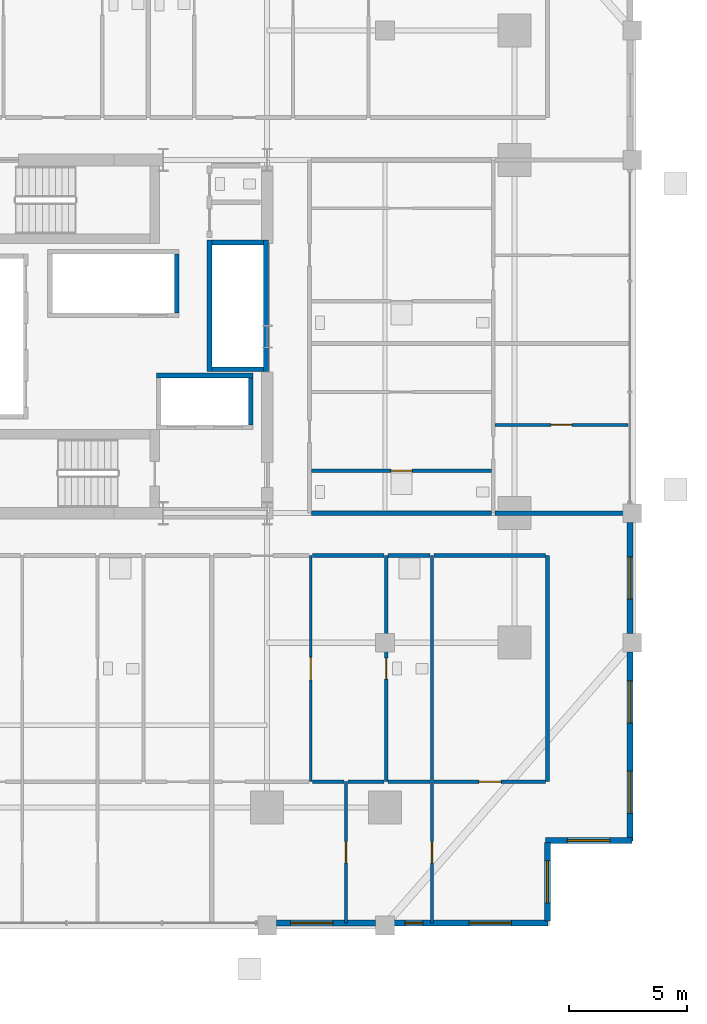
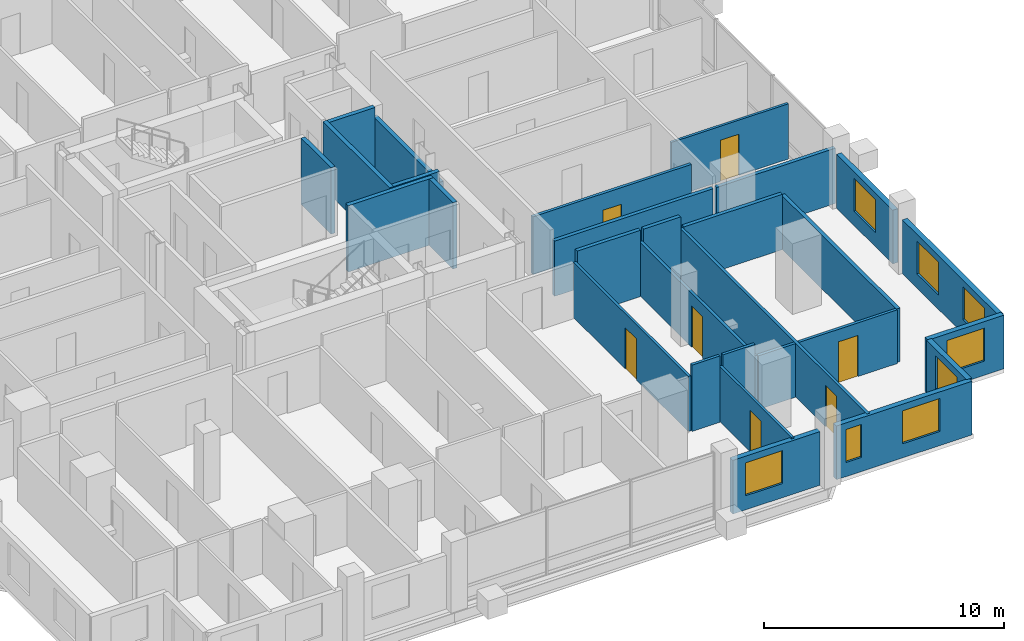
# One storey, part 19 of 24: 29 walls, 8 windows, 7 doors, 15 openings.
"""IFC4 building model written with IfcOpenShell, lengths in metres."""

import ifcopenshell
import ifcopenshell.guid

model = None  # the IFC model being written
_history = None  # IfcOwnerHistory: only IFC2X3 demands one
_inside = {}  # id of a spatial element -> (the spatial element, [elements in it])
_under = {}  # id of a project, library or spatial element -> (it, [spatial elements below it])
_declared = {}  # id of a project -> (the project, [libraries it declares])
_typed = {}  # id of a type object -> (the type object, [elements of that type])
_made_of = {}  # id of a material, layer set ... -> (it, [elements and type objects made of it])


def new_model(schema):
    """Start an empty IFC model of exactly this schema.

    Asked for "IFC4X3", IfcOpenShell would pick the latest addendum, in which some entities
    have other attributes; the version numbers below select the first issue.
    IFC2X3 requires an IfcOwnerHistory on every rooted entity: one is made here for all.
    """
    global model, _history
    if schema == "IFC4X3":
        model = ifcopenshell.file(schema_version=(4, 3, 0, 0))
    else:
        model = ifcopenshell.file(schema=schema)
    _inside.clear()
    _under.clear()
    _declared.clear()
    _typed.clear()
    _made_of.clear()
    _history = None
    if model.schema == "IFC2X3":
        org = make("IfcOrganization", Name="unknown")
        user = make(
            "IfcPersonAndOrganization",
            ThePerson=make("IfcPerson", FamilyName="unknown"),
            TheOrganization=org,
        )
        app = make(
            "IfcApplication",
            ApplicationDeveloper=org,
            Version="unknown",
            ApplicationFullName="unknown",
            ApplicationIdentifier="unknown",
        )
        _history = make(
            "IfcOwnerHistory",
            OwningUser=user,
            OwningApplication=app,
            ChangeAction="ADDED",
            CreationDate=0,
        )
    return model


def make(cls, **values):
    """One entity of the class cls with the attributes given. An attribute that is None is left unset."""
    return model.create_entity(
        cls, **{name: value for name, value in values.items() if value is not None}
    )


def rooted(cls, **values):
    """An entity with a GlobalId (a new one), such as an element, a storey or a relation."""
    return make(cls, GlobalId=ifcopenshell.guid.new(), OwnerHistory=_history, **values)


def si_unit(unit_type, name, prefix=None):
    """IfcSIUnit, for example si_unit("LENGTHUNIT", "METRE", prefix="MILLI")."""
    return make("IfcSIUnit", UnitType=unit_type, Prefix=prefix, Name=name)


def assignment(units):
    """IfcUnitAssignment: the units of a project."""
    return None if units is None else make("IfcUnitAssignment", Units=units)


def point(xyz):
    """IfcCartesianPoint."""
    return None if xyz is None else make("IfcCartesianPoint", Coordinates=xyz)


def direction(xyz):
    """IfcDirection."""
    return None if xyz is None else make("IfcDirection", DirectionRatios=xyz)


def frame(location, z_axis=None, x_axis=None):
    """IfcAxis2Placement3D, a coordinate frame: its origin and axes. An axis left out is left unset."""
    return make(
        "IfcAxis2Placement3D",
        Location=point(location),
        Axis=direction(z_axis),
        RefDirection=direction(x_axis),
    )


def frame_2d(location, x_axis=None):
    """IfcAxis2Placement2D, a coordinate frame in the plane: its origin and x axis."""
    return make(
        "IfcAxis2Placement2D", Location=point(location), RefDirection=direction(x_axis)
    )


def origin():
    """The frame at (0, 0, 0) with its axes left unset."""
    return frame((0.0, 0.0, 0.0))


def place(relative_to, where):
    """IfcLocalPlacement: puts the frame where relative to a parent placement (None: the world)."""
    return make(
        "IfcLocalPlacement", PlacementRelTo=relative_to, RelativePlacement=where
    )


def context(
    kind, dimensions, precision=None, world=None, true_north=None, identifier=None
):
    """IfcGeometricRepresentationContext, for example the 3D "Model" context."""
    return make(
        "IfcGeometricRepresentationContext",
        ContextIdentifier=identifier,
        ContextType=kind,
        CoordinateSpaceDimension=dimensions,
        Precision=precision,
        WorldCoordinateSystem=world,
        TrueNorth=true_north,
    )


def subcontext(parent, identifier, kind, view, scale=None):
    """IfcGeometricRepresentationSubContext, for example "Body" below "Model"."""
    return make(
        "IfcGeometricRepresentationSubContext",
        ContextIdentifier=identifier,
        ContextType=kind,
        ParentContext=parent,
        TargetScale=scale,
        TargetView=view,
    )


def project(units=None, contexts=None):
    """IfcProject with its units and contexts."""
    return rooted(
        "IfcProject",
        Name="project",
        RepresentationContexts=contexts,
        UnitsInContext=assignment(units),
    )


def spatial(cls, under=None, at=None, **own):
    """A site, building, storey or space (cls), placed at a placement, below another one or the project."""
    s = rooted(cls, ObjectPlacement=at, **own)
    if under is not None:
        _under.setdefault(under.id(), (under, []))[1].append(s)
    return s


def profile(cls, at=None, kind="AREA", **sizes):
    """A parametric profile (cls). Its sizes go by their IFC names, for example OverallWidth=200.0."""
    return make(cls, ProfileType=kind, Position=at, **sizes)


def rectangle(**sizes):
    """IfcRectangleProfileDef."""
    return profile("IfcRectangleProfileDef", **sizes)


def extrude(swept, where, along, depth):
    """IfcExtrudedAreaSolid: the profile swept, set in the frame where, extruded along a direction by depth."""
    return make(
        "IfcExtrudedAreaSolid",
        SweptArea=swept,
        Position=where,
        ExtrudedDirection=direction(along),
        Depth=depth,
    )


def shape(context_of_items, identifier, shape_type, items):
    """IfcShapeRepresentation: the items that make up one representation, for example the "Body"."""
    return make(
        "IfcShapeRepresentation",
        ContextOfItems=context_of_items,
        RepresentationIdentifier=identifier,
        RepresentationType=shape_type,
        Items=items,
    )


def material(Name=None, Category=None):
    """IfcMaterial."""
    return make("IfcMaterial", Name=Name, Category=Category)


def layer(
    of_material, thickness, ventilated=None, Name=None, Category=None, Priority=None
):
    """IfcMaterialLayer: one layer of a wall or slab, of a material (None: an air gap)."""
    return make(
        "IfcMaterialLayer",
        Material=of_material,
        LayerThickness=thickness,
        IsVentilated=ventilated,
        Name=Name,
        Category=Category,
        Priority=Priority,
    )


def layer_set(layers, Name=None):
    """IfcMaterialLayerSet."""
    return make("IfcMaterialLayerSet", MaterialLayers=layers, LayerSetName=Name)


def made_of(thing, what):
    """Note that an element or type object is made of a material, layer set ...; save() writes the relation."""
    if what is not None:
        _made_of.setdefault(what.id(), (what, []))[1].append(thing)
    return thing


def type_object(cls, material=None, **own):
    """A type object (cls), such as IfcWallType, which elements share."""
    return made_of(rooted(cls, **own), material)


def element(
    cls,
    number,
    at=None,
    inside=None,
    cuts=None,
    type_object=None,
    material=None,
    context=None,
    identifier="Body",
    shape_type=None,
    held_by="IfcProductDefinitionShape",
    body=None,
    shapes=None,
    **own,
):
    """One element of the class cls, such as IfcWall. Its Tag is "e" and its number.

    at: its placement. inside: the storey or other place that contains it. cuts: it is an
    opening in that element (IfcRelVoidsElement). A single representation is given by context,
    identifier, shape_type and body (its items); several are given by shapes. held_by: the class
    of the entity that holds the representations. save() writes the other relations.
    """
    e = rooted(cls, Tag="e%d" % number, ObjectPlacement=at, **own)
    if body is not None:
        shapes = [shape(context, identifier, shape_type, body)]
    if shapes is not None:
        e.Representation = make(held_by, Representations=shapes)
    if inside is not None:
        _inside.setdefault(inside.id(), (inside, []))[1].append(e)
    if cuts is not None:
        rooted(
            "IfcRelVoidsElement", RelatingBuildingElement=cuts, RelatedOpeningElement=e
        )
    if type_object is not None:
        _typed.setdefault(type_object.id(), (type_object, []))[1].append(e)
    return made_of(e, material)


def fill(opening, filler):
    """IfcRelFillsElement: the door or window that sits in an opening."""
    return rooted(
        "IfcRelFillsElement",
        RelatingOpeningElement=opening,
        RelatedBuildingElement=filler,
    )


def aggregate(whole, parts):
    """IfcRelAggregates: a whole, such as a stair, and the parts it consists of."""
    return rooted("IfcRelAggregates", RelatingObject=whole, RelatedObjects=parts)


def save(model, path):
    """Write the relations noted so far, then the file.

    IfcRelAggregates (storeys below a building ...), IfcRelContainedInSpatialStructure (elements
    in a storey), IfcRelDefinesByType, IfcRelAssociatesMaterial and IfcRelDeclares: one each for
    every whole, place, type object, material and project.
    """
    for whole, parts in _under.values():
        aggregate(whole, parts)
    for where, things in _inside.values():
        rooted(
            "IfcRelContainedInSpatialStructure",
            RelatedElements=things,
            RelatingStructure=where,
        )
    for kind, things in _typed.values():
        rooted("IfcRelDefinesByType", RelatedObjects=things, RelatingType=kind)
    for what, things in _made_of.values():
        rooted("IfcRelAssociatesMaterial", RelatedObjects=things, RelatingMaterial=what)
    for by, libraries in _declared.values():
        rooted("IfcRelDeclares", RelatingContext=by, RelatedDefinitions=libraries)
    model.write(path)


model = new_model("IFC4")

# Units and contexts
model_context = context("Model", 3, precision=1e-05, world=origin(), true_north=direction((0.0, 1.0)))
body_context = subcontext(model_context, "Body", "Model", "MODEL_VIEW")
ifc_project = project(units=[si_unit("LENGTHUNIT", "METRE"), si_unit("AREAUNIT", "SQUARE_METRE"), si_unit("VOLUMEUNIT", "CUBIC_METRE"), si_unit("PLANEANGLEUNIT", "RADIAN"), si_unit("MASSUNIT", "GRAM", prefix="KILO")], contexts=[model_context])

# Site, building, storey
site_placement = place(None, origin())
site = spatial("IfcSite", under=ifc_project, at=site_placement, CompositionType="ELEMENT")
building_placement = place(site_placement, origin())
building = spatial("IfcBuilding", under=site, at=building_placement, Name="Barlavira Tower and Art Museum", CompositionType="ELEMENT")
storey_placement = place(building_placement, frame((0.0, 0.0, 32.39990234375)))
storey = spatial("IfcBuildingStorey", under=building, at=storey_placement, Name="L06", CompositionType="ELEMENT", Elevation=32.39990234375)

# Wall, opening, door
ifc_material_1 = material(Name="Gypsum acoustic stud partition", Category="gypsum")
ifc_layer_1 = layer(ifc_material_1, 0.1201171875, Name="Gypsum acoustic stud partition")
ifc_layer_set_1 = layer_set([ifc_layer_1], Name="Gypsum acoustic stud partition")
wall_type_1 = type_object("IfcWallType", Name="Apartment Internal Acoustic Partition 120", PredefinedType="PARTITIONING", material=ifc_layer_set_1)
wall_1_placement = place(storey_placement, frame((8.35009765625, -18.89990234375, 0.0), z_axis=(0.0, 0.0, 1.0), x_axis=(0.0, 1.0, 0.0)))
wall_1 = element("IfcWall", 1, at=wall_1_placement, inside=storey, type_object=wall_type_1, Name="L06 Partition Wall 24", PredefinedType="PARTITIONING", context=body_context, shape_type="SweptSolid", body=[
    extrude(rectangle(XDim=9.599853515625, YDim=0.1201171875, at=frame_2d((4.7998046875, 0.0))), origin(), (0.0, 0.0, 1.0), 2.816162109375),
])
opening_1_placement = place(wall_1_placement, frame((4.324951171875, 0.0, 0.0)))
opening_1 = element("IfcOpeningElement", 2, at=opening_1_placement, cuts=wall_1, Name="Opening D-02", PredefinedType="OPENING", context=body_context, shape_type="SweptSolid", body=[
    extrude(rectangle(XDim=0.949951171875, YDim=2.10009765625, at=frame_2d((0.47509765625, 1.050048828125))), frame((0.0, 0.070068359375, 0.0), z_axis=(0.0, -1.0, 0.0), x_axis=(1.0, 0.0, 0.0)), (0.0, 0.0, 1.0), 0.14013671875),
])
ifc_material_2 = material(Name="Engineered coastal hardwood", Category="wood")
door_type_1 = type_object("IfcDoorType", Name="Living and Salon Glazed-Leaf Door 950x2100", OperationType="NOTDEFINED", PredefinedType="DOOR", material=ifc_material_2)
door_1_placement = place(opening_1_placement, origin())
door_1 = element("IfcDoor", 3, at=door_1_placement, inside=storey, type_object=door_type_1, Name="Apartment S3 Kitchen Door", OperationType="SINGLE_SWING_LEFT", OverallHeight=2.10009765625, OverallWidth=0.949951171875, PredefinedType="DOOR", context=body_context, shape_type="SweptSolid", body=[
    extrude(rectangle(XDim=0.949951171875, YDim=2.10009765625, at=frame_2d((0.47509765625, 1.050048828125))), frame((0.0, 0.02490234375, 0.0), z_axis=(0.0, -1.0, 0.0), x_axis=(1.0, 0.0, 0.0)), (0.0, 0.0, 1.0), 0.050048828125),
])
fill(opening_1, door_1)

wall_2_placement = place(storey_placement, frame((9.85009765625, -24.89990234375, 0.0), z_axis=(0.0, 0.0, 1.0), x_axis=(0.0, 1.0, 0.0)))
wall_2 = element("IfcWall", 4, at=wall_2_placement, inside=storey, type_object=wall_type_1, Name="L06 Partition Wall 25", PredefinedType="PARTITIONING", context=body_context, shape_type="SweptSolid", body=[
    extrude(rectangle(XDim=6.0, YDim=0.1201171875, at=frame_2d((3.0, 0.0))), origin(), (0.0, 0.0, 1.0), 2.816162109375),
])
opening_2_placement = place(wall_2_placement, frame((2.550048828125, 0.0, 0.0)))
opening_2 = element("IfcOpeningElement", 5, at=opening_2_placement, cuts=wall_2, Name="Opening D-01", PredefinedType="OPENING", context=body_context, shape_type="SweptSolid", body=[
    extrude(rectangle(XDim=0.89990234375, YDim=2.10009765625, at=frame_2d((0.449951171875, 1.050048828125))), frame((0.0, 0.070068359375, 0.0), z_axis=(0.0, -1.0, 0.0), x_axis=(1.0, 0.0, 0.0)), (0.0, 0.0, 1.0), 0.14013671875),
])
door_type_2 = type_object("IfcDoorType", Name="Internal Bedroom Timber Flush Door 900x2100", OperationType="NOTDEFINED", PredefinedType="DOOR", material=ifc_material_2)
door_2_placement = place(opening_2_placement, origin())
door_2 = element("IfcDoor", 6, at=door_2_placement, inside=storey, type_object=door_type_2, Name="Apartment S3 Bedroom 1 Door", OperationType="SINGLE_SWING_LEFT", OverallHeight=2.10009765625, OverallWidth=0.89990234375, PredefinedType="DOOR", context=body_context, shape_type="SweptSolid", body=[
    extrude(rectangle(XDim=0.89990234375, YDim=2.10009765625, at=frame_2d((0.449951171875, 1.050048828125))), frame((0.0, 0.02490234375, 0.0), z_axis=(0.0, -1.0, 0.0), x_axis=(1.0, 0.0, 0.0)), (0.0, 0.0, 1.0), 0.050048828125),
])
fill(opening_2, door_2)

wall_3_placement = place(storey_placement, frame((16.179931640625, -3.75, 0.0), z_axis=(0.0, 0.0, 1.0), x_axis=(1.0, 0.0, 0.0)))
wall_3 = element("IfcWall", 7, at=wall_3_placement, inside=storey, type_object=wall_type_1, Name="L06 Partition Wall 65", PredefinedType="PARTITIONING", context=body_context, shape_type="SweptSolid", body=[
    extrude(rectangle(XDim=5.64013671875, YDim=0.1201171875, at=frame_2d((2.820068359375, 0.0))), origin(), (0.0, 0.0, 1.0), 2.816162109375),
])
opening_3_placement = place(wall_3_placement, frame((2.3701171875, 0.0, 0.0)))
opening_3 = element("IfcOpeningElement", 8, at=opening_3_placement, cuts=wall_3, Name="Opening D-01", PredefinedType="OPENING", context=body_context, shape_type="SweptSolid", body=[
    extrude(rectangle(XDim=0.89990234375, YDim=2.10009765625, at=frame_2d((0.449951171875, 1.050048828125))), frame((0.0, 0.070068359375, 0.0), z_axis=(0.0, -1.0, 0.0), x_axis=(1.0, 0.0, 0.0)), (0.0, 0.0, 1.0), 0.14013671875),
])
door_3_placement = place(opening_3_placement, origin())
door_3 = element("IfcDoor", 9, at=door_3_placement, inside=storey, type_object=door_type_2, Name="Apartment E1 Bedroom 1 Door", OperationType="SINGLE_SWING_LEFT", OverallHeight=2.10009765625, OverallWidth=0.89990234375, PredefinedType="DOOR", context=body_context, shape_type="SweptSolid", body=[
    extrude(rectangle(XDim=0.89990234375, YDim=2.10009765625, at=frame_2d((0.449951171875, 1.050048828125))), frame((0.0, 0.02490234375, 0.0), z_axis=(0.0, -1.0, 0.0), x_axis=(1.0, 0.0, 0.0)), (0.0, 0.0, 1.0), 0.050048828125),
])
fill(opening_3, door_3)

# Walls
ifc_material_3 = material(Name="Autoclaved aerated concrete masonry", Category="masonry")
ifc_layer_2 = layer(ifc_material_3, 0.199951171875, Name="Autoclaved aerated concrete masonry")
ifc_layer_set_2 = layer_set([ifc_layer_2], Name="Autoclaved aerated concrete masonry")
wall_type_2 = type_object("IfcWallType", Name="Fire Compartment and Shaft Wall 200", PredefinedType="SOLIDWALL", material=ifc_layer_set_2)
wall_4_placement = place(storey_placement, frame((4.050048828125, -1.489990234375, 0.0), z_axis=(0.0, 0.0, 1.0), x_axis=(0.0, 1.0, 0.0)))
element("IfcWall", 10, at=wall_4_placement, inside=storey, type_object=wall_type_2, Name="L06 Mid-Rise Lift Front Shaft Wall", PredefinedType="SOLIDWALL", context=body_context, shape_type="SweptSolid", body=[
    extrude(rectangle(XDim=5.580078125, YDim=0.199951171875, at=frame_2d((2.7900390625, 0.0))), origin(), (0.0, 0.0, 1.0), 3.380126953125),
])
wall_5_placement = place(storey_placement, frame((6.449951171875, -1.489990234375, 0.0), z_axis=(0.0, 0.0, 1.0), x_axis=(0.0, 1.0, 0.0)))
element("IfcWall", 11, at=wall_5_placement, inside=storey, type_object=wall_type_2, Name="L06 Mid-Rise Lift Back Shaft Wall", PredefinedType="SOLIDWALL", context=body_context, shape_type="SweptSolid", body=[
    extrude(rectangle(XDim=5.580078125, YDim=0.199951171875, at=frame_2d((2.7900390625, 0.0))), origin(), (0.0, 0.0, 1.0), 2.816162109375),
])
for number, where, z_axis, x_axis, name in (
    (12, (4.14990234375, -1.389892578125, 0.0), (0.0, 0.0, 1.0), (1.0, 0.0, 0.0), "L06 Mid-Rise Lift South Shaft Wall"),
    (13, (4.14990234375, 3.989990234375, 0.0), (0.0, 0.0, 1.0), (1.0, 0.0, 0.0), "L06 Mid-Rise Lift North Shaft Wall"),
):
    element("IfcWall", number, at=place(storey_placement, frame(where, z_axis=z_axis, x_axis=x_axis)), inside=storey, type_object=wall_type_2, Name=name, PredefinedType="SOLIDWALL", context=body_context, shape_type="SweptSolid", body=[
        extrude(rectangle(XDim=2.2001953125, YDim=0.199951171875, at=frame_2d((1.10009765625, 0.0))), origin(), (0.0, 0.0, 1.0), 3.380126953125),
    ])
wall_6_placement = place(storey_placement, frame((2.659912109375, 1.0, 0.0), z_axis=(0.0, 0.0, 1.0), x_axis=(0.0, 1.0, 0.0)))
element("IfcWall", 14, at=wall_6_placement, inside=storey, type_object=wall_type_2, Name="L06 High-Rise & Service Lift East Wall", PredefinedType="SOLIDWALL", context=body_context, shape_type="SweptSolid", body=[
    extrude(rectangle(XDim=2.5, YDim=0.199951171875, at=frame_2d((1.25, 0.0))), origin(), (0.0, 0.0, 1.0), 3.380126953125),
])
wall_7_placement = place(storey_placement, frame((1.800048828125, -1.64990234375, 0.0), z_axis=(0.0, 0.0, 1.0), x_axis=(1.0, 0.0, 0.0)))
element("IfcWall", 15, at=wall_7_placement, inside=storey, type_object=wall_type_2, Name="L06 Firefighting Lift Back Shaft Wall", PredefinedType="SOLIDWALL", context=body_context, shape_type="SweptSolid", body=[
    extrude(rectangle(XDim=4.099853515625, YDim=0.199951171875, at=frame_2d((2.0498046875, 0.0))), origin(), (0.0, 0.0, 1.0), 3.380126953125),
])
wall_8_placement = place(storey_placement, frame((5.800048828125, -3.75, 0.0), z_axis=(0.0, 0.0, 1.0), x_axis=(0.0, 1.0, 0.0)))
element("IfcWall", 16, at=wall_8_placement, inside=storey, type_object=wall_type_2, Name="L06 Firefighting Lift East Shaft Wall", PredefinedType="SOLIDWALL", context=body_context, shape_type="SweptSolid", body=[
    extrude(rectangle(XDim=2.0, YDim=0.199951171875, at=frame_2d((1.0, 0.0))), origin(), (0.0, 0.0, 1.0), 3.380126953125),
])
ifc_layer_3 = layer(ifc_material_1, 0.179931640625, Name="Gypsum acoustic stud partition")
ifc_layer_set_3 = layer_set([ifc_layer_3], Name="Gypsum acoustic stud partition")
wall_type_3 = type_object("IfcWallType", Name="Inter-Tenancy Party Partition Wall 180", PredefinedType="PARTITIONING", material=ifc_layer_set_3)
wall_9_placement = place(storey_placement, frame((18.39990234375, -18.89990234375, 0.0), z_axis=(0.0, 0.0, 1.0), x_axis=(0.0, 1.0, 0.0)))
element("IfcWall", 17, at=wall_9_placement, inside=storey, type_object=wall_type_3, Name="L06 Partition Wall 31", PredefinedType="PARTITIONING", context=body_context, shape_type="SweptSolid", body=[
    extrude(rectangle(XDim=9.599853515625, YDim=0.179931640625, at=frame_2d((4.7998046875, 0.0))), origin(), (0.0, 0.0, 1.0), 2.736083984375),
])
wall_10_placement = place(storey_placement, frame((8.429931640625, -9.300048828125, 0.0), z_axis=(0.0, 0.0, 1.0), x_axis=(1.0, 0.0, 0.0)))
element("IfcWall", 18, at=wall_10_placement, inside=storey, type_object=wall_type_3, Name="L06 Partition Wall 55", PredefinedType="PARTITIONING", context=body_context, shape_type="SweptSolid", body=[
    extrude(rectangle(XDim=3.0400390625, YDim=0.179931640625, at=frame_2d((1.52001953125, 0.0))), origin(), (0.0, 0.0, 1.0), 3.380126953125),
])
wall_11_placement = place(storey_placement, frame((11.6298828125, -9.300048828125, 0.0), z_axis=(0.0, 0.0, 1.0), x_axis=(1.0, 0.0, 0.0)))
element("IfcWall", 19, at=wall_11_placement, inside=storey, type_object=wall_type_3, Name="L06 Partition Wall 56", PredefinedType="PARTITIONING", context=body_context, shape_type="SweptSolid", body=[
    extrude(rectangle(XDim=1.7900390625, YDim=0.179931640625, at=frame_2d((0.89501953125, 0.0))), origin(), (0.0, 0.0, 1.0), 3.380126953125),
])
wall_12_placement = place(storey_placement, frame((13.580078125, -9.300048828125, 0.0), z_axis=(0.0, 0.0, 1.0), x_axis=(1.0, 0.0, 0.0)))
element("IfcWall", 20, at=wall_12_placement, inside=storey, type_object=wall_type_3, Name="L06 Partition Wall 57", PredefinedType="PARTITIONING", context=body_context, shape_type="SweptSolid", body=[
    extrude(rectangle(XDim=4.739990234375, YDim=0.179931640625, at=frame_2d((2.3701171875, 0.0))), origin(), (0.0, 0.0, 1.0), 2.816162109375),
])
wall_13_placement = place(storey_placement, frame((8.3798828125, -7.5, 0.0), z_axis=(0.0, 0.0, 1.0), x_axis=(1.0, 0.0, 0.0)))
element("IfcWall", 21, at=wall_13_placement, inside=storey, type_object=wall_type_3, Name="L06 Partition Wall 60", PredefinedType="PARTITIONING", context=body_context, shape_type="SweptSolid", body=[
    extrude(rectangle(XDim=7.64013671875, YDim=0.179931640625, at=frame_2d((3.820068359375, 0.0))), origin(), (0.0, 0.0, 1.0), 2.816162109375),
])
wall_14_placement = place(storey_placement, frame((16.179931640625, -7.5, 0.0), z_axis=(0.0, 0.0, 1.0), x_axis=(1.0, 0.0, 0.0)))
element("IfcWall", 22, at=wall_14_placement, inside=storey, type_object=wall_type_3, Name="L06 Partition Wall 61", PredefinedType="PARTITIONING", context=body_context, shape_type="SweptSolid", body=[
    extrude(rectangle(XDim=5.719970703125, YDim=0.179931640625, at=frame_2d((2.85986328125, 0.0))), origin(), (0.0, 0.0, 1.0), 2.816162109375),
])

# Wall, opening, door
ifc_layer_4 = layer(ifc_material_1, 0.139892578125, Name="Gypsum acoustic stud partition")
ifc_layer_set_4 = layer_set([ifc_layer_4], Name="Gypsum acoustic stud partition")
wall_type_4 = type_object("IfcWallType", Name="Moisture-Resistant Bathroom Partition 140", PredefinedType="PARTITIONING", material=ifc_layer_set_4)
wall_15_placement = place(storey_placement, frame((11.550048828125, -18.89990234375, 0.0), z_axis=(0.0, 0.0, 1.0), x_axis=(0.0, 1.0, 0.0)))
wall_15 = element("IfcWall", 23, at=wall_15_placement, inside=storey, type_object=wall_type_4, Name="L06 Partition Wall 27", PredefinedType="PARTITIONING", context=body_context, shape_type="SweptSolid", body=[
    extrude(rectangle(XDim=9.599853515625, YDim=0.139892578125, at=frame_2d((4.7998046875, 0.0))), origin(), (0.0, 0.0, 1.0), 2.736083984375),
])
opening_4_placement = place(wall_15_placement, frame((4.35009765625, 0.0, 0.0)))
opening_4 = element("IfcOpeningElement", 24, at=opening_4_placement, cuts=wall_15, Name="Opening D-WC", PredefinedType="OPENING", context=body_context, shape_type="SweptSolid", body=[
    extrude(rectangle(XDim=0.89990234375, YDim=2.10009765625, at=frame_2d((0.449951171875, 1.050048828125))), frame((0.0, 0.080078125, 0.0), z_axis=(0.0, -1.0, 0.0), x_axis=(1.0, 0.0, 0.0)), (0.0, 0.0, 1.0), 0.159912109375),
])
door_type_3 = type_object("IfcDoorType", Name="Accessible Bathroom Flush Door 900x2100", OperationType="NOTDEFINED", PredefinedType="DOOR", material=ifc_material_2)
door_4_placement = place(opening_4_placement, origin())
door_4 = element("IfcDoor", 25, at=door_4_placement, inside=storey, type_object=door_type_3, Name="Apartment S3 Hall Bathroom Door", OperationType="SINGLE_SWING_RIGHT", OverallHeight=2.10009765625, OverallWidth=0.89990234375, PredefinedType="DOOR", context=body_context, shape_type="SweptSolid", body=[
    extrude(rectangle(XDim=0.89990234375, YDim=2.10009765625, at=frame_2d((0.449951171875, 1.050048828125))), frame((0.0, 0.02490234375, 0.0), z_axis=(0.0, -1.0, 0.0), x_axis=(1.0, 0.0, 0.0)), (0.0, 0.0, 1.0), 0.050048828125),
])
fill(opening_4, door_4)

wall_16_placement = place(storey_placement, frame((13.5, -24.89990234375, 0.0), z_axis=(0.0, 0.0, 1.0), x_axis=(0.0, 1.0, 0.0)))
wall_16 = element("IfcWall", 26, at=wall_16_placement, inside=storey, type_object=wall_type_4, Name="L06 Partition Wall 29", PredefinedType="PARTITIONING", context=body_context, shape_type="SweptSolid", body=[
    extrude(rectangle(XDim=15.599853515625, YDim=0.139892578125, at=frame_2d((7.7998046875, 0.0))), origin(), (0.0, 0.0, 1.0), 2.736083984375),
])
opening_5_placement = place(wall_16_placement, frame((2.550048828125, 0.0, 0.0)))
opening_5 = element("IfcOpeningElement", 27, at=opening_5_placement, cuts=wall_16, Name="Opening D-01", PredefinedType="OPENING", context=body_context, shape_type="SweptSolid", body=[
    extrude(rectangle(XDim=0.89990234375, YDim=2.10009765625, at=frame_2d((0.449951171875, 1.050048828125))), frame((0.0, 0.080078125, 0.0), z_axis=(0.0, -1.0, 0.0), x_axis=(1.0, 0.0, 0.0)), (0.0, 0.0, 1.0), 0.159912109375),
])
door_5_placement = place(opening_5_placement, origin())
door_5 = element("IfcDoor", 28, at=door_5_placement, inside=storey, type_object=door_type_2, Name="Apartment S3 Bedroom 2 Door", OperationType="SINGLE_SWING_RIGHT", OverallHeight=2.10009765625, OverallWidth=0.89990234375, PredefinedType="DOOR", context=body_context, shape_type="SweptSolid", body=[
    extrude(rectangle(XDim=0.89990234375, YDim=2.10009765625, at=frame_2d((0.449951171875, 1.050048828125))), frame((0.0, 0.02490234375, 0.0), z_axis=(0.0, -1.0, 0.0), x_axis=(1.0, 0.0, 0.0)), (0.0, 0.0, 1.0), 0.050048828125),
])
fill(opening_5, door_5)

# Walls
wall_17_placement = place(storey_placement, frame((8.429931640625, -18.89990234375, 0.0), z_axis=(0.0, 0.0, 1.0), x_axis=(1.0, 0.0, 0.0)))
element("IfcWall", 29, at=wall_17_placement, inside=storey, type_object=wall_type_4, Name="L06 Partition Wall 43", PredefinedType="PARTITIONING", context=body_context, shape_type="SweptSolid", body=[
    extrude(rectangle(XDim=1.340087890625, YDim=0.139892578125, at=frame_2d((0.669921875, 0.0))), origin(), (0.0, 0.0, 1.0), 3.380126953125),
])
wall_18_placement = place(storey_placement, frame((9.929931640625, -18.89990234375, 0.0), z_axis=(0.0, 0.0, 1.0), x_axis=(1.0, 0.0, 0.0)))
element("IfcWall", 30, at=wall_18_placement, inside=storey, type_object=wall_type_4, Name="L06 Partition Wall 44", PredefinedType="PARTITIONING", context=body_context, shape_type="SweptSolid", body=[
    extrude(rectangle(XDim=1.5400390625, YDim=0.139892578125, at=frame_2d((0.77001953125, 0.0))), origin(), (0.0, 0.0, 1.0), 3.380126953125),
])
wall_19_placement = place(storey_placement, frame((11.6298828125, -18.89990234375, 0.0), z_axis=(0.0, 0.0, 1.0), x_axis=(1.0, 0.0, 0.0)))
element("IfcWall", 31, at=wall_19_placement, inside=storey, type_object=wall_type_4, Name="L06 Partition Wall 45", PredefinedType="PARTITIONING", context=body_context, shape_type="SweptSolid", body=[
    extrude(rectangle(XDim=1.7900390625, YDim=0.139892578125, at=frame_2d((0.89501953125, 0.0))), origin(), (0.0, 0.0, 1.0), 2.736083984375),
])

# Wall, opening, door
wall_20_placement = place(storey_placement, frame((13.580078125, -18.89990234375, 0.0), z_axis=(0.0, 0.0, 1.0), x_axis=(1.0, 0.0, 0.0)))
wall_20 = element("IfcWall", 32, at=wall_20_placement, inside=storey, type_object=wall_type_4, Name="L06 Partition Wall 46", PredefinedType="PARTITIONING", context=body_context, shape_type="SweptSolid", body=[
    extrude(rectangle(XDim=4.739990234375, YDim=0.139892578125, at=frame_2d((2.3701171875, 0.0))), origin(), (0.0, 0.0, 1.0), 2.736083984375),
])
opening_6_placement = place(wall_20_placement, frame((1.905029296875, 0.0, 0.0)))
opening_6 = element("IfcOpeningElement", 33, at=opening_6_placement, cuts=wall_20, Name="Opening D-02", PredefinedType="OPENING", context=body_context, shape_type="SweptSolid", body=[
    extrude(rectangle(XDim=0.949951171875, YDim=2.10009765625, at=frame_2d((0.47509765625, 1.050048828125))), frame((0.0, 0.080078125, 0.0), z_axis=(0.0, -1.0, 0.0), x_axis=(1.0, 0.0, 0.0)), (0.0, 0.0, 1.0), 0.159912109375),
])
door_6_placement = place(opening_6_placement, origin())
door_6 = element("IfcDoor", 34, at=door_6_placement, inside=storey, type_object=door_type_1, Name="Apartment S3 Dining Salon Door", OperationType="SINGLE_SWING_LEFT", OverallHeight=2.10009765625, OverallWidth=0.949951171875, PredefinedType="DOOR", context=body_context, shape_type="SweptSolid", body=[
    extrude(rectangle(XDim=0.949951171875, YDim=2.10009765625, at=frame_2d((0.47509765625, 1.050048828125))), frame((0.0, 0.02490234375, 0.0), z_axis=(0.0, -1.0, 0.0), x_axis=(1.0, 0.0, 0.0)), (0.0, 0.0, 1.0), 0.050048828125),
])
fill(opening_6, door_6)

wall_21_placement = place(storey_placement, frame((8.3798828125, -5.699951171875, 0.0), z_axis=(0.0, 0.0, 1.0), x_axis=(1.0, 0.0, 0.0)))
wall_21 = element("IfcWall", 35, at=wall_21_placement, inside=storey, type_object=wall_type_4, Name="L06 Partition Wall 63", PredefinedType="PARTITIONING", context=body_context, shape_type="SweptSolid", body=[
    extrude(rectangle(XDim=7.64013671875, YDim=0.139892578125, at=frame_2d((3.820068359375, 0.0))), origin(), (0.0, 0.0, 1.0), 2.947998046875),
])
opening_7_placement = place(wall_21_placement, frame((3.3701171875, 0.0, 0.0)))
opening_7 = element("IfcOpeningElement", 36, at=opening_7_placement, cuts=wall_21, Name="Opening D-WC", PredefinedType="OPENING", context=body_context, shape_type="SweptSolid", body=[
    extrude(rectangle(XDim=0.89990234375, YDim=2.10009765625, at=frame_2d((0.449951171875, 1.050048828125))), frame((0.0, 0.080078125, 0.0), z_axis=(0.0, -1.0, 0.0), x_axis=(1.0, 0.0, 0.0)), (0.0, 0.0, 1.0), 0.159912109375),
])
door_7_placement = place(opening_7_placement, origin())
door_7 = element("IfcDoor", 37, at=door_7_placement, inside=storey, type_object=door_type_3, Name="Apartment E1 Hall Bathroom Door", OperationType="SINGLE_SWING_LEFT", OverallHeight=2.10009765625, OverallWidth=0.89990234375, PredefinedType="DOOR", context=body_context, shape_type="SweptSolid", body=[
    extrude(rectangle(XDim=0.89990234375, YDim=2.10009765625, at=frame_2d((0.449951171875, 1.050048828125))), frame((0.0, 0.02490234375, 0.0), z_axis=(0.0, -1.0, 0.0), x_axis=(1.0, 0.0, 0.0)), (0.0, 0.0, 1.0), 0.050048828125),
])
fill(opening_7, door_7)

# Wall, opening, window
ifc_material_4 = material(Name="Precast concrete C40", Category="concrete")
ifc_layer_5 = layer(ifc_material_4, 0.25, Name="Precast concrete C40")
ifc_layer_set_5 = layer_set([ifc_layer_5], Name="Precast concrete C40")
wall_type_5 = type_object("IfcWallType", Name="Notched Corner Spandrel Wall 250 Precast Concrete C40", PredefinedType="SOLIDWALL", material=ifc_layer_set_5)
wall_22_placement = place(storey_placement, frame((6.89501953125, -24.89990234375, 0.0), z_axis=(0.0, 0.0, 1.0), x_axis=(1.0, 0.0, 0.0)))
wall_22 = element("IfcWall", 38, at=wall_22_placement, inside=storey, type_object=wall_type_5, Name="L06 Coastal Facade Pier Wall CW1-L06-S-4", PredefinedType="SOLIDWALL", context=body_context, shape_type="SweptSolid", body=[
    extrude(rectangle(XDim=4.2099609375, YDim=0.25, at=frame_2d((2.10498046875, 0.0))), origin(), (0.0, 0.0, 1.0), 2.736083984375),
])
opening_8_placement = place(wall_22_placement, frame((0.60498046875, 0.0, 0.719970703125)))
opening_8 = element("IfcOpeningElement", 39, at=opening_8_placement, cuts=wall_22, Name="Opening WN-01", PredefinedType="OPENING", context=body_context, shape_type="SweptSolid", body=[
    extrude(rectangle(XDim=1.800048828125, YDim=1.679931640625, at=frame_2d((0.89990234375, 0.83984375))), frame((0.0, 0.135009765625, 0.0), z_axis=(0.0, -1.0, 0.0), x_axis=(1.0, 0.0, 0.0)), (0.0, 0.0, 1.0), 0.27001953125),
])
ifc_material_5 = material(Name="Low-iron coastal laminated glass", Category="glass")
window_type_1 = type_object("IfcWindowType", Name="Recessed Notch Corner Punch Window 1800x1680", PartitioningType="SINGLE_PANEL", PredefinedType="WINDOW", material=ifc_material_5)
window_1_placement = place(opening_8_placement, origin())
window_1 = element("IfcWindow", 40, at=window_1_placement, inside=storey, type_object=window_type_1, Name="L06 Punched Facade Window EWP-CW1-L06-S-4-1", OverallHeight=1.679931640625, OverallWidth=1.800048828125, PartitioningType="SINGLE_PANEL", PredefinedType="WINDOW", context=body_context, shape_type="SweptSolid", body=[
    extrude(rectangle(XDim=1.800048828125, YDim=1.679931640625, at=frame_2d((0.89990234375, 0.83984375))), frame((0.0, 0.030029296875, 0.0), z_axis=(0.0, -1.0, 0.0), x_axis=(1.0, 0.0, 0.0)), (0.0, 0.0, 1.0), 0.06005859375),
])
fill(opening_8, window_1)

# Wall, openings, windows
wall_23_placement = place(storey_placement, frame((11.89501953125, -24.89990234375, 0.0), z_axis=(0.0, 0.0, 1.0), x_axis=(1.0, 0.0, 0.0)))
wall_23 = element("IfcWall", 41, at=wall_23_placement, inside=storey, type_object=wall_type_5, Name="L06 Coastal Facade Pier Wall CW1-L06-S-5", PredefinedType="SOLIDWALL", context=body_context, shape_type="SweptSolid", body=[
    extrude(rectangle(XDim=6.530029296875, YDim=0.25, at=frame_2d((3.26513671875, 0.0))), origin(), (0.0, 0.0, 1.0), 2.736083984375),
])
opening_9_placement = place(wall_23_placement, frame((0.455078125, 0.0, 0.719970703125)))
opening_9 = element("IfcOpeningElement", 42, at=opening_9_placement, cuts=wall_23, Name="Opening WN-06", PredefinedType="OPENING", context=body_context, shape_type="SweptSolid", body=[
    extrude(rectangle(XDim=0.760009765625, YDim=1.679931640625, at=frame_2d((0.3798828125, 0.83984375))), frame((0.0, 0.135009765625, 0.0), z_axis=(0.0, -1.0, 0.0), x_axis=(1.0, 0.0, 0.0)), (0.0, 0.0, 1.0), 0.27001953125),
])
opening_10_placement = place(wall_23_placement, frame((3.177978515625, 0.0, 0.719970703125)))
opening_10 = element("IfcOpeningElement", 43, at=opening_10_placement, cuts=wall_23, Name="Opening WN-01", PredefinedType="OPENING", context=body_context, shape_type="SweptSolid", body=[
    extrude(rectangle(XDim=1.800048828125, YDim=1.679931640625, at=frame_2d((0.89990234375, 0.83984375))), frame((0.0, 0.135009765625, 0.0), z_axis=(0.0, -1.0, 0.0), x_axis=(1.0, 0.0, 0.0)), (0.0, 0.0, 1.0), 0.27001953125),
])
window_type_2 = type_object("IfcWindowType", Name="Recessed Narrow Pier Window 760x1680", PartitioningType="SINGLE_PANEL", PredefinedType="WINDOW", material=ifc_material_5)
window_2_placement = place(opening_9_placement, origin())
window_2 = element("IfcWindow", 44, at=window_2_placement, inside=storey, type_object=window_type_2, Name="L06 Punched Facade Window EWP-CW1-L06-S-5-1", OverallHeight=1.679931640625, OverallWidth=0.760009765625, PartitioningType="SINGLE_PANEL", PredefinedType="WINDOW", context=body_context, shape_type="SweptSolid", body=[
    extrude(rectangle(XDim=0.760009765625, YDim=1.679931640625, at=frame_2d((0.3798828125, 0.83984375))), frame((0.0, 0.030029296875, 0.0), z_axis=(0.0, -1.0, 0.0), x_axis=(1.0, 0.0, 0.0)), (0.0, 0.0, 1.0), 0.06005859375),
])
fill(opening_9, window_2)
window_3_placement = place(opening_10_placement, origin())
window_3 = element("IfcWindow", 45, at=window_3_placement, inside=storey, type_object=window_type_1, Name="L06 Punched Facade Window EWP-CW1-L06-S-5-2", OverallHeight=1.679931640625, OverallWidth=1.800048828125, PartitioningType="SINGLE_PANEL", PredefinedType="WINDOW", context=body_context, shape_type="SweptSolid", body=[
    extrude(rectangle(XDim=1.800048828125, YDim=1.679931640625, at=frame_2d((0.89990234375, 0.83984375))), frame((0.0, 0.030029296875, 0.0), z_axis=(0.0, -1.0, 0.0), x_axis=(1.0, 0.0, 0.0)), (0.0, 0.0, 1.0), 0.06005859375),
])
fill(opening_10, window_3)

wall_24_placement = place(storey_placement, frame((21.89990234375, -21.425048828125, 0.0), z_axis=(0.0, 0.0, 1.0), x_axis=(0.0, 1.0, 0.0)))
wall_24 = element("IfcWall", 46, at=wall_24_placement, inside=storey, type_object=wall_type_5, Name="L06 Coastal Facade Pier Wall CW1-L06-E-1", PredefinedType="SOLIDWALL", context=body_context, shape_type="SweptSolid", body=[
    extrude(rectangle(XDim=8.030029296875, YDim=0.25, at=frame_2d((4.01513671875, 0.0))), origin(), (0.0, 0.0, 1.0), 2.736083984375),
])
opening_11_placement = place(wall_24_placement, frame((1.176025390625, 0.0, 0.719970703125)))
opening_11 = element("IfcOpeningElement", 47, at=opening_11_placement, cuts=wall_24, Name="Opening WN-01", PredefinedType="OPENING", context=body_context, shape_type="SweptSolid", body=[
    extrude(rectangle(XDim=1.800048828125, YDim=1.679931640625, at=frame_2d((0.89990234375, 0.83984375))), frame((0.0, 0.135009765625, 0.0), z_axis=(0.0, -1.0, 0.0), x_axis=(1.0, 0.0, 0.0)), (0.0, 0.0, 1.0), 0.27001953125),
])
opening_12_placement = place(wall_24_placement, frame((5.009033203125, 0.0, 0.719970703125)))
opening_12 = element("IfcOpeningElement", 48, at=opening_12_placement, cuts=wall_24, Name="Opening WN-01", PredefinedType="OPENING", context=body_context, shape_type="SweptSolid", body=[
    extrude(rectangle(XDim=1.800048828125, YDim=1.679931640625, at=frame_2d((0.89990234375, 0.83984375))), frame((0.0, 0.135009765625, 0.0), z_axis=(0.0, -1.0, 0.0), x_axis=(1.0, 0.0, 0.0)), (0.0, 0.0, 1.0), 0.27001953125),
])
window_4_placement = place(opening_11_placement, origin())
window_4 = element("IfcWindow", 49, at=window_4_placement, inside=storey, type_object=window_type_1, Name="L06 Punched Facade Window EWP-CW1-L06-E-1-1", OverallHeight=1.679931640625, OverallWidth=1.800048828125, PartitioningType="SINGLE_PANEL", PredefinedType="WINDOW", context=body_context, shape_type="SweptSolid", body=[
    extrude(rectangle(XDim=1.800048828125, YDim=1.679931640625, at=frame_2d((0.89990234375, 0.83984375))), frame((0.0, 0.030029296875, 0.0), z_axis=(0.0, -1.0, 0.0), x_axis=(1.0, 0.0, 0.0)), (0.0, 0.0, 1.0), 0.06005859375),
])
fill(opening_11, window_4)
window_5_placement = place(opening_12_placement, origin())
window_5 = element("IfcWindow", 50, at=window_5_placement, inside=storey, type_object=window_type_1, Name="L06 Punched Facade Window EWP-CW1-L06-E-1-2", OverallHeight=1.679931640625, OverallWidth=1.800048828125, PartitioningType="SINGLE_PANEL", PredefinedType="WINDOW", context=body_context, shape_type="SweptSolid", body=[
    extrude(rectangle(XDim=1.800048828125, YDim=1.679931640625, at=frame_2d((0.89990234375, 0.83984375))), frame((0.0, 0.030029296875, 0.0), z_axis=(0.0, -1.0, 0.0), x_axis=(1.0, 0.0, 0.0)), (0.0, 0.0, 1.0), 0.06005859375),
])
fill(opening_12, window_5)

# Wall, opening, window
wall_25_placement = place(storey_placement, frame((21.89990234375, -12.60498046875, 0.0), z_axis=(0.0, 0.0, 1.0), x_axis=(0.0, 1.0, 0.0)))
wall_25 = element("IfcWall", 51, at=wall_25_placement, inside=storey, type_object=wall_type_5, Name="L06 Coastal Facade Pier Wall CW1-L06-E-2", PredefinedType="SOLIDWALL", context=body_context, shape_type="SweptSolid", body=[
    extrude(rectangle(XDim=4.7099609375, YDim=0.25, at=frame_2d((2.35498046875, 0.0))), origin(), (0.0, 0.0, 1.0), 2.736083984375),
])
opening_13_placement = place(wall_25_placement, frame((1.455078125, 0.0, 0.719970703125)))
opening_13 = element("IfcOpeningElement", 52, at=opening_13_placement, cuts=wall_25, Name="Opening WN-01", PredefinedType="OPENING", context=body_context, shape_type="SweptSolid", body=[
    extrude(rectangle(XDim=1.800048828125, YDim=1.679931640625, at=frame_2d((0.89990234375, 0.83984375))), frame((0.0, 0.135009765625, 0.0), z_axis=(0.0, -1.0, 0.0), x_axis=(1.0, 0.0, 0.0)), (0.0, 0.0, 1.0), 0.27001953125),
])
window_6_placement = place(opening_13_placement, origin())
window_6 = element("IfcWindow", 53, at=window_6_placement, inside=storey, type_object=window_type_1, Name="L06 Punched Facade Window EWP-CW1-L06-E-2-1", OverallHeight=1.679931640625, OverallWidth=1.800048828125, PartitioningType="SINGLE_PANEL", PredefinedType="WINDOW", context=body_context, shape_type="SweptSolid", body=[
    extrude(rectangle(XDim=1.800048828125, YDim=1.679931640625, at=frame_2d((0.89990234375, 0.83984375))), frame((0.0, 0.030029296875, 0.0), z_axis=(0.0, -1.0, 0.0), x_axis=(1.0, 0.0, 0.0)), (0.0, 0.0, 1.0), 0.06005859375),
])
fill(opening_13, window_6)

wall_26_placement = place(storey_placement, frame((18.39990234375, -24.820068359375, 0.0), z_axis=(0.0, 0.0, 1.0), x_axis=(0.0, 1.0, 0.0)))
wall_26 = element("IfcWall", 54, at=wall_26_placement, inside=storey, type_object=wall_type_5, Name="L06 Notch Corner Wall SE1", PredefinedType="SOLIDWALL", context=body_context, shape_type="SweptSolid", body=[
    extrude(rectangle(XDim=3.340087890625, YDim=0.25, at=frame_2d((1.669921875, 0.0))), origin(), (0.0, 0.0, 1.0), 2.736083984375),
])
opening_14_placement = place(wall_26_placement, frame((0.77001953125, 0.0, 0.719970703125)))
opening_14 = element("IfcOpeningElement", 55, at=opening_14_placement, cuts=wall_26, Name="Opening WN-01", PredefinedType="OPENING", context=body_context, shape_type="SweptSolid", body=[
    extrude(rectangle(XDim=1.800048828125, YDim=1.679931640625, at=frame_2d((0.89990234375, 0.83984375))), frame((0.0, 0.135009765625, 0.0), z_axis=(0.0, -1.0, 0.0), x_axis=(1.0, 0.0, 0.0)), (0.0, 0.0, 1.0), 0.27001953125),
])
window_7_placement = place(opening_14_placement, origin())
window_7 = element("IfcWindow", 56, at=window_7_placement, inside=storey, type_object=window_type_1, Name="L06 Punched Facade Window EW-NTC-L06-SE1-1", OverallHeight=1.679931640625, OverallWidth=1.800048828125, PartitioningType="SINGLE_PANEL", PredefinedType="WINDOW", context=body_context, shape_type="SweptSolid", body=[
    extrude(rectangle(XDim=1.800048828125, YDim=1.679931640625, at=frame_2d((0.89990234375, 0.83984375))), frame((0.0, 0.030029296875, 0.0), z_axis=(0.0, -1.0, 0.0), x_axis=(1.0, 0.0, 0.0)), (0.0, 0.0, 1.0), 0.06005859375),
])
fill(opening_14, window_7)

wall_27_placement = place(storey_placement, frame((18.320068359375, -21.39990234375, 0.0), z_axis=(0.0, 0.0, 1.0), x_axis=(1.0, 0.0, 0.0)))
wall_27 = element("IfcWall", 57, at=wall_27_placement, inside=storey, type_object=wall_type_5, Name="L06 Notch Corner Wall SE2", PredefinedType="SOLIDWALL", context=body_context, shape_type="SweptSolid", body=[
    extrude(rectangle(XDim=3.659912109375, YDim=0.25, at=frame_2d((1.830078125, 0.0))), origin(), (0.0, 0.0, 1.0), 2.736083984375),
])
opening_15_placement = place(wall_27_placement, frame((0.929931640625, 0.0, 0.719970703125)))
opening_15 = element("IfcOpeningElement", 58, at=opening_15_placement, cuts=wall_27, Name="Opening WN-01", PredefinedType="OPENING", context=body_context, shape_type="SweptSolid", body=[
    extrude(rectangle(XDim=1.800048828125, YDim=1.679931640625, at=frame_2d((0.89990234375, 0.83984375))), frame((0.0, 0.135009765625, 0.0), z_axis=(0.0, -1.0, 0.0), x_axis=(1.0, 0.0, 0.0)), (0.0, 0.0, 1.0), 0.27001953125),
])
window_8_placement = place(opening_15_placement, origin())
window_8 = element("IfcWindow", 59, at=window_8_placement, inside=storey, type_object=window_type_1, Name="L06 Punched Facade Window EW-NTC-L06-SE2-1", OverallHeight=1.679931640625, OverallWidth=1.800048828125, PartitioningType="SINGLE_PANEL", PredefinedType="WINDOW", context=body_context, shape_type="SweptSolid", body=[
    extrude(rectangle(XDim=1.800048828125, YDim=1.679931640625, at=frame_2d((0.89990234375, 0.83984375))), frame((0.0, 0.030029296875, 0.0), z_axis=(0.0, -1.0, 0.0), x_axis=(1.0, 0.0, 0.0)), (0.0, 0.0, 1.0), 0.06005859375),
])
fill(opening_15, window_8)

save(model, "model.ifc")
